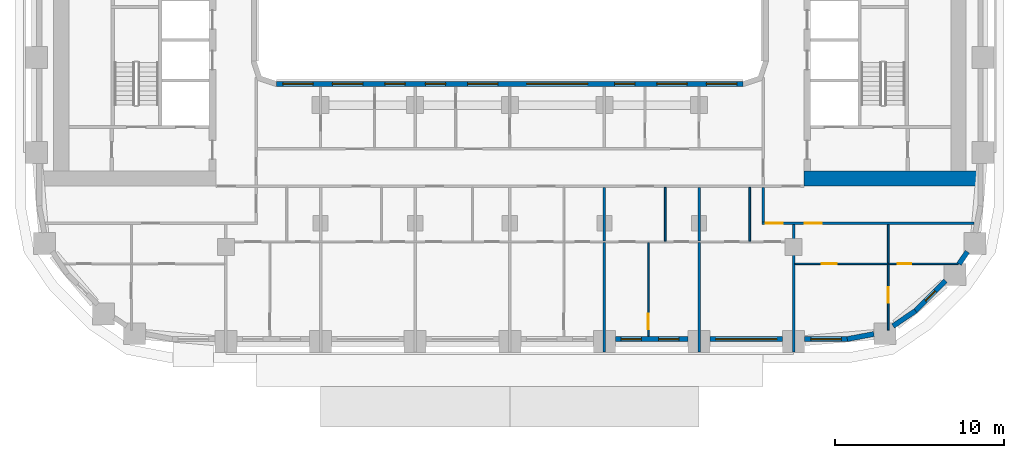
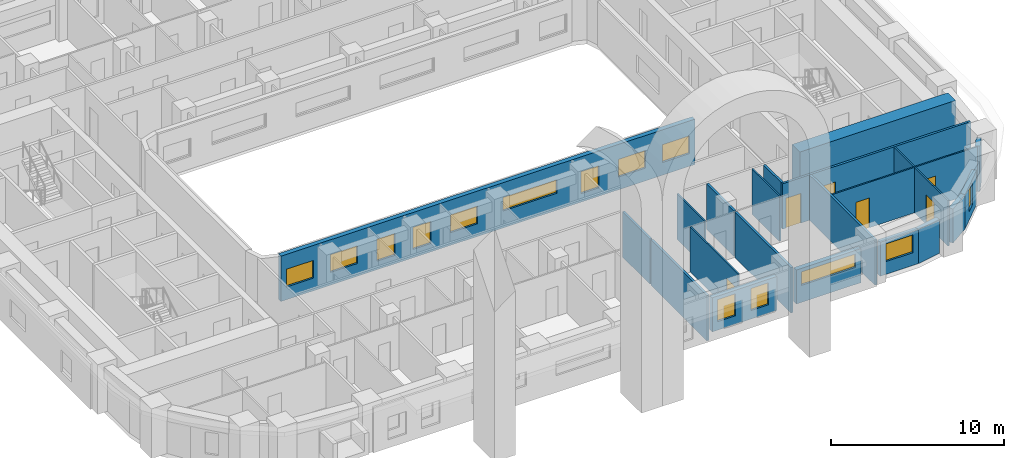
# One storey, part 5 of 19: 22 walls, 14 windows, 6 doors, 20 openings.
"""IFC4 building model written with IfcOpenShell, lengths in metres."""

from ifc_helpers import new_model, si_unit, direction, frame, frame_2d, origin, place, context, subcontext, project, spatial, rectangle, extrude, material, layer, layer_set, type_object, element, fill, save


model = new_model("IFC4")

# Units and contexts
model_context = context("Model", 3, precision=1e-05, world=origin(), true_north=direction((0.0, 1.0)))
body_context = subcontext(model_context, "Body", "Model", "MODEL_VIEW")
ifc_project = project(units=[si_unit("LENGTHUNIT", "METRE"), si_unit("AREAUNIT", "SQUARE_METRE"), si_unit("VOLUMEUNIT", "CUBIC_METRE"), si_unit("PLANEANGLEUNIT", "RADIAN"), si_unit("MASSUNIT", "GRAM", prefix="KILO")], contexts=[model_context])

# Site, building, storey
site_placement = place(None, origin())
site = spatial("IfcSite", under=ifc_project, at=site_placement, CompositionType="ELEMENT")
building_placement = place(site_placement, origin())
building = spatial("IfcBuilding", under=site, at=building_placement, Name="Kiln Ring Residences", CompositionType="ELEMENT")
storey_placement = place(building_placement, frame((0.0, 0.0, 104.300048828125)))
storey = spatial("IfcBuildingStorey", under=building, at=storey_placement, Name="L26", CompositionType="ELEMENT", Elevation=104.300048828125)

# Wall
ifc_material_1 = material(Name="Concrete C60/75", Category="concrete")
ifc_layer_1 = layer(ifc_material_1, 0.89990234375)
ifc_layer_set_1 = layer_set([ifc_layer_1], Name="CORE-WALL-RC900")
wall_type_1 = type_object("IfcWallType", Name="CORE-WALL-RC900", PredefinedType="SHEAR", material=ifc_layer_set_1)
wall_1_placement = place(storey_placement, frame((17.39990234375, -12.75, 0.0), z_axis=(0.0, 0.0, 1.0), x_axis=(1.0, 0.0, 0.0)))
element("IfcWall", 1, at=wall_1_placement, inside=storey, type_object=wall_type_1, Name="Core wall east L26 5", PredefinedType="SHEAR", context=body_context, shape_type="SweptSolid", body=[
    extrude(rectangle(XDim=10.400146484375, YDim=0.89990234375, at=frame_2d((5.2001953125, 0.0))), origin(), (0.0, 0.0, 1.0), 3.199951171875),
])

# Wall, openings, windows
ifc_material_2 = material(Name="Brick masonry, dark clay brick", Category="masonry")
ifc_layer_2 = layer(ifc_material_2, 0.300048828125)
ifc_layer_set_2 = layer_set([ifc_layer_2], Name="EW-300 BRICK WALL")
wall_type_2 = type_object("IfcWallType", Name="EW-300 BRICK WALL", PredefinedType="SOLIDWALL", material=ifc_layer_set_2)
wall_2_placement = place(storey_placement, frame((6.25, -22.25, 0.0), z_axis=(0.0, 0.0, 1.0), x_axis=(1.0, 0.0, 0.0)))
wall_2 = element("IfcWall", 2, at=wall_2_placement, inside=storey, type_object=wall_type_2, Name="Facade wall L26 9", PredefinedType="SOLIDWALL", context=body_context, shape_type="SweptSolid", body=[
    extrude(rectangle(XDim=4.300048828125, YDim=0.300048828125, at=frame_2d((2.14990234375, 0.0))), origin(), (0.0, 0.0, 1.0), 2.39990234375),
])
opening_1_placement = place(wall_2_placement, frame((0.33740234375, 0.0, 0.60009765625)))
opening_1 = element("IfcOpeningElement", 3, at=opening_1_placement, cuts=wall_2, Name="Opening W1", PredefinedType="OPENING", context=body_context, shape_type="SweptSolid", body=[
    extrude(rectangle(XDim=1.199951171875, YDim=1.550048828125, at=frame_2d((0.60009765625, 0.77490234375))), frame((0.0, 0.159912109375, 0.0), z_axis=(0.0, -1.0, 0.0), x_axis=(1.0, 0.0, 0.0)), (0.0, 0.0, 1.0), 0.320068359375),
])
opening_2_placement = place(wall_2_placement, frame((2.5625, 0.0, 0.60009765625)))
opening_2 = element("IfcOpeningElement", 4, at=opening_2_placement, cuts=wall_2, Name="Opening W1", PredefinedType="OPENING", context=body_context, shape_type="SweptSolid", body=[
    extrude(rectangle(XDim=1.199951171875, YDim=1.550048828125, at=frame_2d((0.60009765625, 0.77490234375))), frame((0.0, 0.159912109375, 0.0), z_axis=(0.0, -1.0, 0.0), x_axis=(1.0, 0.0, 0.0)), (0.0, 0.0, 1.0), 0.320068359375),
])
ifc_material_3 = material(Name="Aluminium frame with double glazing", Category="aluminium")
window_type_1 = type_object("IfcWindowType", Name="WINDOW 1200 x 1550", PartitioningType="SINGLE_PANEL", PredefinedType="WINDOW", material=ifc_material_3)
window_1_placement = place(opening_1_placement, origin())
window_1 = element("IfcWindow", 5, at=window_1_placement, inside=storey, type_object=window_type_1, Name="Window L26 9", OverallHeight=1.550048828125, OverallWidth=1.199951171875, PartitioningType="SINGLE_PANEL", PredefinedType="WINDOW", context=body_context, shape_type="SweptSolid", body=[
    extrude(rectangle(XDim=1.199951171875, YDim=1.550048828125, at=frame_2d((0.60009765625, 0.77490234375))), frame((0.0, 0.030029296875, 0.0), z_axis=(0.0, -1.0, 0.0), x_axis=(1.0, 0.0, 0.0)), (0.0, 0.0, 1.0), 0.06005859375),
])
fill(opening_1, window_1)
window_2_placement = place(opening_2_placement, origin())
window_2 = element("IfcWindow", 6, at=window_2_placement, inside=storey, type_object=window_type_1, Name="Window L26 10", OverallHeight=1.550048828125, OverallWidth=1.199951171875, PartitioningType="SINGLE_PANEL", PredefinedType="WINDOW", context=body_context, shape_type="SweptSolid", body=[
    extrude(rectangle(XDim=1.199951171875, YDim=1.550048828125, at=frame_2d((0.60009765625, 0.77490234375))), frame((0.0, 0.030029296875, 0.0), z_axis=(0.0, -1.0, 0.0), x_axis=(1.0, 0.0, 0.0)), (0.0, 0.0, 1.0), 0.06005859375),
])
fill(opening_2, window_2)

# Wall, opening, window
wall_3_placement = place(storey_placement, frame((11.85009765625, -22.25, 0.0), z_axis=(0.0, 0.0, 1.0), x_axis=(1.0, 0.0, 0.0)))
wall_3 = element("IfcWall", 7, at=wall_3_placement, inside=storey, type_object=wall_type_2, Name="Facade wall L26 10", PredefinedType="SOLIDWALL", context=body_context, shape_type="SweptSolid", body=[
    extrude(rectangle(XDim=4.2998046875, YDim=0.300048828125, at=frame_2d((2.14990234375, 0.0))), origin(), (0.0, 0.0, 1.0), 2.39990234375),
])
opening_3_placement = place(wall_3_placement, frame((0.35009765625, 0.0, 1.199951171875)))
opening_3 = element("IfcOpeningElement", 8, at=opening_3_placement, cuts=wall_3, Name="Opening W4", PredefinedType="OPENING", context=body_context, shape_type="SweptSolid", body=[
    extrude(rectangle(XDim=3.60009765625, YDim=0.949951171875, at=frame_2d((1.800048828125, 0.47509765625))), frame((0.0, 0.159912109375, 0.0), z_axis=(0.0, -1.0, 0.0), x_axis=(1.0, 0.0, 0.0)), (0.0, 0.0, 1.0), 0.320068359375),
])
ifc_material_4 = material(Name="Aluminium frame with double glazing", Category="aluminium")
window_type_2 = type_object("IfcWindowType", Name="WINDOW 3600 x 950", PartitioningType="SINGLE_PANEL", PredefinedType="WINDOW", material=ifc_material_4)
window_3_placement = place(opening_3_placement, origin())
window_3 = element("IfcWindow", 9, at=window_3_placement, inside=storey, type_object=window_type_2, Name="Window L26 11", OverallHeight=0.949951171875, OverallWidth=3.60009765625, PartitioningType="SINGLE_PANEL", PredefinedType="WINDOW", context=body_context, shape_type="SweptSolid", body=[
    extrude(rectangle(XDim=3.60009765625, YDim=0.949951171875, at=frame_2d((1.800048828125, 0.47509765625))), frame((0.0, 0.030029296875, 0.0), z_axis=(0.0, -1.0, 0.0), x_axis=(1.0, 0.0, 0.0)), (0.0, 0.0, 1.0), 0.06005859375),
])
fill(opening_3, window_3)

wall_4_placement = place(storey_placement, frame((17.449951171875, -22.25, 0.0), z_axis=(0.0, 0.0, 1.0), x_axis=(1.0, 0.0, 0.0)))
wall_4 = element("IfcWall", 10, at=wall_4_placement, inside=storey, type_object=wall_type_2, Name="Facade wall L26 11", PredefinedType="SOLIDWALL", context=body_context, shape_type="SweptSolid", body=[
    extrude(rectangle(XDim=2.550048828125, YDim=0.300048828125, at=frame_2d((1.27490234375, 0.0))), origin(), (0.0, 0.0, 1.0), 2.39990234375),
])
opening_4_placement = place(wall_4_placement, frame((0.375, 0.0, 0.89990234375)))
opening_4 = element("IfcOpeningElement", 11, at=opening_4_placement, cuts=wall_4, Name="Opening W2", PredefinedType="OPENING", context=body_context, shape_type="SweptSolid", body=[
    extrude(rectangle(XDim=1.800048828125, YDim=1.25, at=frame_2d((0.89990234375, 0.625))), frame((0.0, 0.159912109375, 0.0), z_axis=(0.0, -1.0, 0.0), x_axis=(1.0, 0.0, 0.0)), (0.0, 0.0, 1.0), 0.320068359375),
])
ifc_material_5 = material(Name="Aluminium frame with double glazing", Category="aluminium")
window_type_3 = type_object("IfcWindowType", Name="WINDOW 1800 x 1250", PartitioningType="SINGLE_PANEL", PredefinedType="WINDOW", material=ifc_material_5)
window_4_placement = place(opening_4_placement, origin())
window_4 = element("IfcWindow", 12, at=window_4_placement, inside=storey, type_object=window_type_3, Name="Window L26 12", OverallHeight=1.25, OverallWidth=1.800048828125, PartitioningType="SINGLE_PANEL", PredefinedType="WINDOW", context=body_context, shape_type="SweptSolid", body=[
    extrude(rectangle(XDim=1.800048828125, YDim=1.25, at=frame_2d((0.89990234375, 0.625))), frame((0.0, 0.030029296875, 0.0), z_axis=(0.0, -1.0, 0.0), x_axis=(1.0, 0.0, 0.0)), (0.0, 0.0, 1.0), 0.06005859375),
])
fill(opening_4, window_4)

# Walls
for number, where, z_axis, x_axis, name in (
    (13, (19.971923828125, -22.252685546875, 0.0), (0.0, 0.0, 1.0), (0.982278644094, 0.187426426519, 0.0), "Facade wall L26 12"),
    (14, (22.684326171875, -21.481689453125, 0.0), (0.0, 0.0, 1.0), (0.82705935865, 0.562114594429, 0.0), "Facade wall L26 13"),
):
    element("IfcWall", number, at=place(storey_placement, frame(where, z_axis=z_axis, x_axis=x_axis)), inside=storey, type_object=wall_type_2, Name=name, PredefinedType="SOLIDWALL", context=body_context, shape_type="SweptSolid", body=[
        extrude(rectangle(XDim=1.606201171875, YDim=0.300048828125, at=frame_2d((0.80322265625, 0.0))), origin(), (0.0, 0.0, 1.0), 2.39990234375),
    ])

# Wall, opening, window
wall_5_placement = place(storey_placement, frame((23.990966796875, -20.596923828125, 0.0), z_axis=(0.0, 0.0, 1.0), x_axis=(0.707106781187, 0.707106781187, 0.0)))
wall_5 = element("IfcWall", 15, at=wall_5_placement, inside=storey, type_object=wall_type_2, Name="Facade wall L26 14", PredefinedType="SOLIDWALL", context=body_context, shape_type="SweptSolid", body=[
    extrude(rectangle(XDim=2.550048828125, YDim=0.300048828125, at=frame_2d((1.27490234375, 0.0))), origin(), (0.0, 0.0, 1.0), 2.39990234375),
])
opening_5_placement = place(wall_5_placement, frame((0.875, 0.0, 0.60009765625)))
opening_5 = element("IfcOpeningElement", 16, at=opening_5_placement, cuts=wall_5, Name="Opening W5", PredefinedType="OPENING", context=body_context, shape_type="SweptSolid", body=[
    extrude(rectangle(XDim=0.800048828125, YDim=1.550048828125, at=frame_2d((0.39990234375, 0.77490234375))), frame((0.0, 0.159912109375, 0.0), z_axis=(0.0, -1.0, 0.0), x_axis=(1.0, 0.0, 0.0)), (0.0, 0.0, 1.0), 0.320068359375),
])
ifc_material_6 = material(Name="Aluminium frame with double glazing", Category="aluminium")
window_type_4 = type_object("IfcWindowType", Name="WINDOW 800 x 1550", PartitioningType="SINGLE_PANEL", PredefinedType="WINDOW", material=ifc_material_6)
window_5_placement = place(opening_5_placement, origin())
window_5 = element("IfcWindow", 17, at=window_5_placement, inside=storey, type_object=window_type_4, Name="Window L26 13", OverallHeight=1.550048828125, OverallWidth=0.800048828125, PartitioningType="SINGLE_PANEL", PredefinedType="WINDOW", context=body_context, shape_type="SweptSolid", body=[
    extrude(rectangle(XDim=0.800048828125, YDim=1.550048828125, at=frame_2d((0.39990234375, 0.77490234375))), frame((0.0, 0.030029296875, 0.0), z_axis=(0.0, -1.0, 0.0), x_axis=(1.0, 0.0, 0.0)), (0.0, 0.0, 1.0), 0.06005859375),
])
fill(opening_5, window_5)

# Wall
wall_6_placement = place(storey_placement, frame((26.588623046875, -17.809814453125, 0.0), z_axis=(0.0, 0.0, 1.0), x_axis=(0.562066330934, 0.827092159091, 0.0)))
element("IfcWall", 18, at=wall_6_placement, inside=storey, type_object=wall_type_2, Name="Facade wall L26 15", PredefinedType="SOLIDWALL", context=body_context, shape_type="SweptSolid", body=[
    extrude(rectangle(XDim=0.876953125, YDim=0.300048828125, at=frame_2d((0.4384765625, 0.0))), origin(), (0.0, 0.0, 1.0), 3.199951171875),
])

# Wall, openings, windows
wall_7_placement = place(storey_placement, frame((13.800048828125, -7.14990234375, 0.0), z_axis=(0.0, 0.0, 1.0), x_axis=(-1.0, 0.0, 0.0)))
wall_7 = element("IfcWall", 19, at=wall_7_placement, inside=storey, type_object=wall_type_2, Name="Facade wall L26 52", PredefinedType="SOLIDWALL", context=body_context, shape_type="SweptSolid", body=[
    extrude(rectangle(XDim=27.60009765625, YDim=0.300048828125, at=frame_2d((13.800048828125, 0.0))), origin(), (0.0, 0.0, 1.0), 3.199951171875),
])
opening_6_placement = place(wall_7_placement, frame((0.362548828125, 0.0, 0.89990234375)))
opening_6 = element("IfcOpeningElement", 20, at=opening_6_placement, cuts=wall_7, Name="Opening W2", PredefinedType="OPENING", context=body_context, shape_type="SweptSolid", body=[
    extrude(rectangle(XDim=1.800048828125, YDim=1.25, at=frame_2d((0.89990234375, 0.625))), frame((0.0, 0.159912109375, 0.0), z_axis=(0.0, -1.0, 0.0), x_axis=(1.0, 0.0, 0.0)), (0.0, 0.0, 1.0), 0.320068359375),
])
opening_7_placement = place(wall_7_placement, frame((3.300048828125, 0.0, 0.89990234375)))
opening_7 = element("IfcOpeningElement", 21, at=opening_7_placement, cuts=wall_7, Name="Opening W2", PredefinedType="OPENING", context=body_context, shape_type="SweptSolid", body=[
    extrude(rectangle(XDim=1.800048828125, YDim=1.25, at=frame_2d((0.89990234375, 0.625))), frame((0.0, 0.159912109375, 0.0), z_axis=(0.0, -1.0, 0.0), x_axis=(1.0, 0.0, 0.0)), (0.0, 0.0, 1.0), 0.320068359375),
])
opening_8_placement = place(wall_7_placement, frame((6.39990234375, 0.0, 0.60009765625)))
opening_8 = element("IfcOpeningElement", 22, at=opening_8_placement, cuts=wall_7, Name="Opening W1", PredefinedType="OPENING", context=body_context, shape_type="SweptSolid", body=[
    extrude(rectangle(XDim=1.199951171875, YDim=1.550048828125, at=frame_2d((0.60009765625, 0.77490234375))), frame((0.0, 0.159912109375, 0.0), z_axis=(0.0, -1.0, 0.0), x_axis=(1.0, 0.0, 0.0)), (0.0, 0.0, 1.0), 0.320068359375),
])
opening_9_placement = place(wall_7_placement, frame((9.199951171875, 0.0, 1.199951171875)))
opening_9 = element("IfcOpeningElement", 23, at=opening_9_placement, cuts=wall_7, Name="Opening W4", PredefinedType="OPENING", context=body_context, shape_type="SweptSolid", body=[
    extrude(rectangle(XDim=3.60009765625, YDim=0.949951171875, at=frame_2d((1.800048828125, 0.47509765625))), frame((0.0, 0.159912109375, 0.0), z_axis=(0.0, -1.0, 0.0), x_axis=(1.0, 0.0, 0.0)), (0.0, 0.0, 1.0), 0.320068359375),
])
opening_10_placement = place(wall_7_placement, frame((14.5, 0.0, 0.89990234375)))
opening_10 = element("IfcOpeningElement", 24, at=opening_10_placement, cuts=wall_7, Name="Opening W2", PredefinedType="OPENING", context=body_context, shape_type="SweptSolid", body=[
    extrude(rectangle(XDim=1.800048828125, YDim=1.25, at=frame_2d((0.89990234375, 0.625))), frame((0.0, 0.159912109375, 0.0), z_axis=(0.0, -1.0, 0.0), x_axis=(1.0, 0.0, 0.0)), (0.0, 0.0, 1.0), 0.320068359375),
])
opening_11_placement = place(wall_7_placement, frame((17.60009765625, 0.0, 0.60009765625)))
opening_11 = element("IfcOpeningElement", 25, at=opening_11_placement, cuts=wall_7, Name="Opening W1", PredefinedType="OPENING", context=body_context, shape_type="SweptSolid", body=[
    extrude(rectangle(XDim=1.199951171875, YDim=1.550048828125, at=frame_2d((0.60009765625, 0.77490234375))), frame((0.0, 0.159912109375, 0.0), z_axis=(0.0, -1.0, 0.0), x_axis=(1.0, 0.0, 0.0)), (0.0, 0.0, 1.0), 0.320068359375),
])
opening_12_placement = place(wall_7_placement, frame((20.0, 0.0, 0.60009765625)))
opening_12 = element("IfcOpeningElement", 26, at=opening_12_placement, cuts=wall_7, Name="Opening W1", PredefinedType="OPENING", context=body_context, shape_type="SweptSolid", body=[
    extrude(rectangle(XDim=1.199951171875, YDim=1.550048828125, at=frame_2d((0.60009765625, 0.77490234375))), frame((0.0, 0.159912109375, 0.0), z_axis=(0.0, -1.0, 0.0), x_axis=(1.0, 0.0, 0.0)), (0.0, 0.0, 1.0), 0.320068359375),
])
opening_13_placement = place(wall_7_placement, frame((22.5, 0.0, 0.89990234375)))
opening_13 = element("IfcOpeningElement", 27, at=opening_13_placement, cuts=wall_7, Name="Opening W2", PredefinedType="OPENING", context=body_context, shape_type="SweptSolid", body=[
    extrude(rectangle(XDim=1.800048828125, YDim=1.25, at=frame_2d((0.89990234375, 0.625))), frame((0.0, 0.159912109375, 0.0), z_axis=(0.0, -1.0, 0.0), x_axis=(1.0, 0.0, 0.0)), (0.0, 0.0, 1.0), 0.320068359375),
])
opening_14_placement = place(wall_7_placement, frame((25.4375, 0.0, 0.89990234375)))
opening_14 = element("IfcOpeningElement", 28, at=opening_14_placement, cuts=wall_7, Name="Opening W2", PredefinedType="OPENING", context=body_context, shape_type="SweptSolid", body=[
    extrude(rectangle(XDim=1.800048828125, YDim=1.25, at=frame_2d((0.89990234375, 0.625))), frame((0.0, 0.159912109375, 0.0), z_axis=(0.0, -1.0, 0.0), x_axis=(1.0, 0.0, 0.0)), (0.0, 0.0, 1.0), 0.320068359375),
])
window_6_placement = place(opening_8_placement, origin())
window_6 = element("IfcWindow", 29, at=window_6_placement, inside=storey, type_object=window_type_1, Name="Window L26 35", OverallHeight=1.550048828125, OverallWidth=1.199951171875, PartitioningType="SINGLE_PANEL", PredefinedType="WINDOW", context=body_context, shape_type="SweptSolid", body=[
    extrude(rectangle(XDim=1.199951171875, YDim=1.550048828125, at=frame_2d((0.60009765625, 0.77490234375))), frame((0.0, 0.030029296875, 0.0), z_axis=(0.0, -1.0, 0.0), x_axis=(1.0, 0.0, 0.0)), (0.0, 0.0, 1.0), 0.06005859375),
])
fill(opening_8, window_6)
window_7_placement = place(opening_11_placement, origin())
window_7 = element("IfcWindow", 30, at=window_7_placement, inside=storey, type_object=window_type_1, Name="Window L26 38", OverallHeight=1.550048828125, OverallWidth=1.199951171875, PartitioningType="SINGLE_PANEL", PredefinedType="WINDOW", context=body_context, shape_type="SweptSolid", body=[
    extrude(rectangle(XDim=1.199951171875, YDim=1.550048828125, at=frame_2d((0.60009765625, 0.77490234375))), frame((0.0, 0.030029296875, 0.0), z_axis=(0.0, -1.0, 0.0), x_axis=(1.0, 0.0, 0.0)), (0.0, 0.0, 1.0), 0.06005859375),
])
fill(opening_11, window_7)
window_8_placement = place(opening_12_placement, origin())
window_8 = element("IfcWindow", 31, at=window_8_placement, inside=storey, type_object=window_type_1, Name="Window L26 39", OverallHeight=1.550048828125, OverallWidth=1.199951171875, PartitioningType="SINGLE_PANEL", PredefinedType="WINDOW", context=body_context, shape_type="SweptSolid", body=[
    extrude(rectangle(XDim=1.199951171875, YDim=1.550048828125, at=frame_2d((0.60009765625, 0.77490234375))), frame((0.0, 0.030029296875, 0.0), z_axis=(0.0, -1.0, 0.0), x_axis=(1.0, 0.0, 0.0)), (0.0, 0.0, 1.0), 0.06005859375),
])
fill(opening_12, window_8)
window_9_placement = place(opening_6_placement, origin())
window_9 = element("IfcWindow", 32, at=window_9_placement, inside=storey, type_object=window_type_3, Name="Window L26 33", OverallHeight=1.25, OverallWidth=1.800048828125, PartitioningType="SINGLE_PANEL", PredefinedType="WINDOW", context=body_context, shape_type="SweptSolid", body=[
    extrude(rectangle(XDim=1.800048828125, YDim=1.25, at=frame_2d((0.89990234375, 0.625))), frame((0.0, 0.030029296875, 0.0), z_axis=(0.0, -1.0, 0.0), x_axis=(1.0, 0.0, 0.0)), (0.0, 0.0, 1.0), 0.06005859375),
])
fill(opening_6, window_9)
window_10_placement = place(opening_7_placement, origin())
window_10 = element("IfcWindow", 33, at=window_10_placement, inside=storey, type_object=window_type_3, Name="Window L26 34", OverallHeight=1.25, OverallWidth=1.800048828125, PartitioningType="SINGLE_PANEL", PredefinedType="WINDOW", context=body_context, shape_type="SweptSolid", body=[
    extrude(rectangle(XDim=1.800048828125, YDim=1.25, at=frame_2d((0.89990234375, 0.625))), frame((0.0, 0.030029296875, 0.0), z_axis=(0.0, -1.0, 0.0), x_axis=(1.0, 0.0, 0.0)), (0.0, 0.0, 1.0), 0.06005859375),
])
fill(opening_7, window_10)
window_11_placement = place(opening_10_placement, origin())
window_11 = element("IfcWindow", 34, at=window_11_placement, inside=storey, type_object=window_type_3, Name="Window L26 37", OverallHeight=1.25, OverallWidth=1.800048828125, PartitioningType="SINGLE_PANEL", PredefinedType="WINDOW", context=body_context, shape_type="SweptSolid", body=[
    extrude(rectangle(XDim=1.800048828125, YDim=1.25, at=frame_2d((0.89990234375, 0.625))), frame((0.0, 0.030029296875, 0.0), z_axis=(0.0, -1.0, 0.0), x_axis=(1.0, 0.0, 0.0)), (0.0, 0.0, 1.0), 0.06005859375),
])
fill(opening_10, window_11)
window_12_placement = place(opening_13_placement, origin())
window_12 = element("IfcWindow", 35, at=window_12_placement, inside=storey, type_object=window_type_3, Name="Window L26 40", OverallHeight=1.25, OverallWidth=1.800048828125, PartitioningType="SINGLE_PANEL", PredefinedType="WINDOW", context=body_context, shape_type="SweptSolid", body=[
    extrude(rectangle(XDim=1.800048828125, YDim=1.25, at=frame_2d((0.89990234375, 0.625))), frame((0.0, 0.030029296875, 0.0), z_axis=(0.0, -1.0, 0.0), x_axis=(1.0, 0.0, 0.0)), (0.0, 0.0, 1.0), 0.06005859375),
])
fill(opening_13, window_12)
window_13_placement = place(opening_14_placement, origin())
window_13 = element("IfcWindow", 36, at=window_13_placement, inside=storey, type_object=window_type_3, Name="Window L26 41", OverallHeight=1.25, OverallWidth=1.800048828125, PartitioningType="SINGLE_PANEL", PredefinedType="WINDOW", context=body_context, shape_type="SweptSolid", body=[
    extrude(rectangle(XDim=1.800048828125, YDim=1.25, at=frame_2d((0.89990234375, 0.625))), frame((0.0, 0.030029296875, 0.0), z_axis=(0.0, -1.0, 0.0), x_axis=(1.0, 0.0, 0.0)), (0.0, 0.0, 1.0), 0.06005859375),
])
fill(opening_14, window_13)
window_14_placement = place(opening_9_placement, origin())
window_14 = element("IfcWindow", 37, at=window_14_placement, inside=storey, type_object=window_type_2, Name="Window L26 36", OverallHeight=0.949951171875, OverallWidth=3.60009765625, PartitioningType="SINGLE_PANEL", PredefinedType="WINDOW", context=body_context, shape_type="SweptSolid", body=[
    extrude(rectangle(XDim=3.60009765625, YDim=0.949951171875, at=frame_2d((1.800048828125, 0.47509765625))), frame((0.0, 0.030029296875, 0.0), z_axis=(0.0, -1.0, 0.0), x_axis=(1.0, 0.0, 0.0)), (0.0, 0.0, 1.0), 0.06005859375),
])
fill(opening_9, window_14)

# Wall, openings, doors
ifc_material_7 = material(Name="Gypsum board on steel studs", Category="steel")
ifc_layer_3 = layer(ifc_material_7, 0.10009765625)
ifc_layer_set_3 = layer_set([ifc_layer_3], Name="PARTITION-100")
wall_type_3 = type_object("IfcWallType", Name="PARTITION-100", PredefinedType="PARTITIONING", material=ifc_layer_set_3)
wall_8_placement = place(storey_placement, frame((16.875, -17.800048828125, 0.0), z_axis=(0.0, 0.0, 1.0), x_axis=(1.0, 0.0, 0.0)))
wall_8 = element("IfcWall", 38, at=wall_8_placement, inside=storey, type_object=wall_type_3, Name="Partition 001", PredefinedType="PARTITIONING", context=body_context, shape_type="SweptSolid", body=[
    extrude(rectangle(XDim=9.67919921875, YDim=0.10009765625, at=frame_2d((4.839599609375, 0.0))), origin(), (0.0, 0.0, 1.0), 3.199951171875),
])
opening_15_placement = place(wall_8_placement, frame((6.093017578125, 0.0, 0.0)))
opening_15 = element("IfcOpeningElement", 39, at=opening_15_placement, cuts=wall_8, Name="Opening L26-D074", PredefinedType="OPENING", context=body_context, shape_type="SweptSolid", body=[
    extrude(rectangle(XDim=0.800048828125, YDim=2.10009765625, at=frame_2d((0.39990234375, 1.050048828125))), frame((0.0, 0.06005859375, 0.0), z_axis=(0.0, -1.0, 0.0), x_axis=(1.0, 0.0, 0.0)), (0.0, 0.0, 1.0), 0.1201171875),
])
opening_16_placement = place(wall_8_placement, frame((1.574951171875, 0.0, 0.0)))
opening_16 = element("IfcOpeningElement", 40, at=opening_16_placement, cuts=wall_8, Name="Opening L26-D075", PredefinedType="OPENING", context=body_context, shape_type="SweptSolid", body=[
    extrude(rectangle(XDim=0.89990234375, YDim=2.10009765625, at=frame_2d((0.449951171875, 1.050048828125))), frame((0.0, 0.06005859375, 0.0), z_axis=(0.0, -1.0, 0.0), x_axis=(1.0, 0.0, 0.0)), (0.0, 0.0, 1.0), 0.1201171875),
])
ifc_material_8 = material(Name="Timber door leaf", Category="wood")
door_type_1 = type_object("IfcDoorType", Name="FLAT-DOOR-800-PL", OperationType="SINGLE_SWING_LEFT", PredefinedType="DOOR", material=ifc_material_8)
door_1_placement = place(opening_15_placement, origin())
door_1 = element("IfcDoor", 41, at=door_1_placement, inside=storey, type_object=door_type_1, Name="Door L26-D074", OperationType="SINGLE_SWING_RIGHT", OverallHeight=2.10009765625, OverallWidth=0.800048828125, PredefinedType="DOOR", context=body_context, shape_type="SweptSolid", body=[
    extrude(rectangle(XDim=0.800048828125, YDim=2.10009765625, at=frame_2d((0.39990234375, 1.050048828125))), frame((0.0, 0.02490234375, 0.0), z_axis=(0.0, -1.0, 0.0), x_axis=(1.0, 0.0, 0.0)), (0.0, 0.0, 1.0), 0.050048828125),
])
fill(opening_15, door_1)
ifc_material_9 = material(Name="Timber door leaf", Category="wood")
door_type_2 = type_object("IfcDoorType", Name="FLAT-DOOR-900-PL", OperationType="SINGLE_SWING_LEFT", PredefinedType="DOOR", material=ifc_material_9)
door_2_placement = place(opening_16_placement, origin())
door_2 = element("IfcDoor", 42, at=door_2_placement, inside=storey, type_object=door_type_2, Name="Door L26-D075", OperationType="SINGLE_SWING_LEFT", OverallHeight=2.10009765625, OverallWidth=0.89990234375, PredefinedType="DOOR", context=body_context, shape_type="SweptSolid", body=[
    extrude(rectangle(XDim=0.89990234375, YDim=2.10009765625, at=frame_2d((0.449951171875, 1.050048828125))), frame((0.0, 0.02490234375, 0.0), z_axis=(0.0, -1.0, 0.0), x_axis=(1.0, 0.0, 0.0)), (0.0, 0.0, 1.0), 0.050048828125),
])
fill(opening_16, door_2)

# Wall, opening, door
wall_9_placement = place(storey_placement, frame((8.199951171875, -22.080078125, 0.0), z_axis=(0.0, 0.0, 1.0), x_axis=(0.0, 1.0, 0.0)))
wall_9 = element("IfcWall", 43, at=wall_9_placement, inside=storey, type_object=wall_type_3, Name="Partition 063", PredefinedType="PARTITIONING", context=body_context, shape_type="SweptSolid", body=[
    extrude(rectangle(XDim=5.530029296875, YDim=0.10009765625, at=frame_2d((2.76513671875, 0.0))), origin(), (0.0, 0.0, 1.0), 3.199951171875),
])
opening_17_placement = place(wall_9_placement, frame((0.419921875, 0.0, 0.0)))
opening_17 = element("IfcOpeningElement", 44, at=opening_17_placement, cuts=wall_9, Name="Opening L26-D069", PredefinedType="OPENING", context=body_context, shape_type="SweptSolid", body=[
    extrude(rectangle(XDim=0.89990234375, YDim=2.10009765625, at=frame_2d((0.449951171875, 1.050048828125))), frame((0.0, 0.06005859375, 0.0), z_axis=(0.0, -1.0, 0.0), x_axis=(1.0, 0.0, 0.0)), (0.0, 0.0, 1.0), 0.1201171875),
])
door_3_placement = place(opening_17_placement, origin())
door_3 = element("IfcDoor", 45, at=door_3_placement, inside=storey, type_object=door_type_2, Name="Door L26-D069", OperationType="SINGLE_SWING_LEFT", OverallHeight=2.10009765625, OverallWidth=0.89990234375, PredefinedType="DOOR", context=body_context, shape_type="SweptSolid", body=[
    extrude(rectangle(XDim=0.89990234375, YDim=2.10009765625, at=frame_2d((0.449951171875, 1.050048828125))), frame((0.0, 0.02490234375, 0.0), z_axis=(0.0, -1.0, 0.0), x_axis=(1.0, 0.0, 0.0)), (0.0, 0.0, 1.0), 0.050048828125),
])
fill(opening_17, door_3)

# Walls
for number, where, z_axis, x_axis, name in (
    (46, (9.199951171875, -16.449951171875, 0.0), (0.0, 0.0, 1.0), (0.0, 1.0, 0.0), "Partition 064"),
    (47, (14.199951171875, -16.449951171875, 0.0), (0.0, 0.0, 1.0), (0.0, 1.0, 0.0), "Partition 072"),
):
    element("IfcWall", number, at=place(storey_placement, frame(where, z_axis=z_axis, x_axis=x_axis)), inside=storey, type_object=wall_type_3, Name=name, PredefinedType="PARTITIONING", context=body_context, shape_type="SweptSolid", body=[
        extrude(rectangle(XDim=3.175048828125, YDim=0.10009765625, at=frame_2d((1.58740234375, 0.0))), origin(), (0.0, 0.0, 1.0), 3.199951171875),
    ])

# Wall, opening, door
wall_10_placement = place(storey_placement, frame((22.39990234375, -21.719970703125, 0.0), z_axis=(0.0, 0.0, 1.0), x_axis=(0.0, 1.0, 0.0)))
wall_10 = element("IfcWall", 48, at=wall_10_placement, inside=storey, type_object=wall_type_3, Name="Partition 080", PredefinedType="PARTITIONING", context=body_context, shape_type="SweptSolid", body=[
    extrude(rectangle(XDim=3.869873046875, YDim=0.10009765625, at=frame_2d((1.93505859375, 0.0))), origin(), (0.0, 0.0, 1.0), 3.199951171875),
])
opening_18_placement = place(wall_10_placement, frame((1.6220703125, 0.0, 0.0)))
opening_18 = element("IfcOpeningElement", 49, at=opening_18_placement, cuts=wall_10, Name="Opening L26-D076", PredefinedType="OPENING", context=body_context, shape_type="SweptSolid", body=[
    extrude(rectangle(XDim=0.89990234375, YDim=2.10009765625, at=frame_2d((0.449951171875, 1.050048828125))), frame((0.0, 0.06005859375, 0.0), z_axis=(0.0, -1.0, 0.0), x_axis=(1.0, 0.0, 0.0)), (0.0, 0.0, 1.0), 0.1201171875),
])
door_4_placement = place(opening_18_placement, origin())
door_4 = element("IfcDoor", 50, at=door_4_placement, inside=storey, type_object=door_type_2, Name="Door L26-D076", OperationType="SINGLE_SWING_RIGHT", OverallHeight=2.10009765625, OverallWidth=0.89990234375, PredefinedType="DOOR", context=body_context, shape_type="SweptSolid", body=[
    extrude(rectangle(XDim=0.89990234375, YDim=2.10009765625, at=frame_2d((0.449951171875, 1.050048828125))), frame((0.0, 0.02490234375, 0.0), z_axis=(0.0, -1.0, 0.0), x_axis=(1.0, 0.0, 0.0)), (0.0, 0.0, 1.0), 0.050048828125),
])
fill(opening_18, door_4)

# Wall
wall_11_placement = place(storey_placement, frame((22.39990234375, -17.75, 0.0), z_axis=(0.0, 0.0, 1.0), x_axis=(0.0, 1.0, 0.0)))
element("IfcWall", 51, at=wall_11_placement, inside=storey, type_object=wall_type_3, Name="Partition 081", PredefinedType="PARTITIONING", context=body_context, shape_type="SweptSolid", body=[
    extrude(rectangle(XDim=2.27490234375, YDim=0.10009765625, at=frame_2d((1.137451171875, 0.0))), origin(), (0.0, 0.0, 1.0), 3.199951171875),
])

# Wall, openings, doors
ifc_material_10 = material(Name="Brick masonry partition", Category="masonry")
ifc_layer_4 = layer(ifc_material_10, 0.14990234375)
ifc_layer_set_4 = layer_set([ifc_layer_4], Name="PARTITION-150-ei60")
wall_type_4 = type_object("IfcWallType", Name="PARTITION-150-ei60", PredefinedType="PARTITIONING", material=ifc_layer_set_4)
wall_12_placement = place(storey_placement, frame((14.925048828125, -15.39990234375, 0.0), z_axis=(0.0, 0.0, 1.0), x_axis=(1.0, 0.0, 0.0)))
wall_12 = element("IfcWall", 52, at=wall_12_placement, inside=storey, type_object=wall_type_4, Name="Partition 004", PredefinedType="PARTITIONING", context=body_context, shape_type="SweptSolid", body=[
    extrude(rectangle(XDim=12.558837890625, YDim=0.14990234375, at=frame_2d((6.279296875, 0.0))), origin(), (0.0, 0.0, 1.0), 3.199951171875),
])
opening_19_placement = place(wall_12_placement, frame((0.22412109375, 0.0, 0.0)))
opening_19 = element("IfcOpeningElement", 53, at=opening_19_placement, cuts=wall_12, Name="Opening L26-D070", PredefinedType="OPENING", context=body_context, shape_type="SweptSolid", body=[
    extrude(rectangle(XDim=1.0, YDim=2.10009765625, at=frame_2d((0.5, 1.050048828125))), frame((0.0, 0.0849609375, 0.0), z_axis=(0.0, -1.0, 0.0), x_axis=(1.0, 0.0, 0.0)), (0.0, 0.0, 1.0), 0.169921875),
])
opening_20_placement = place(wall_12_placement, frame((2.52490234375, 0.0, 0.0)))
opening_20 = element("IfcOpeningElement", 54, at=opening_20_placement, cuts=wall_12, Name="Opening L26-D073", PredefinedType="OPENING", context=body_context, shape_type="SweptSolid", body=[
    extrude(rectangle(XDim=1.0, YDim=2.10009765625, at=frame_2d((0.5, 1.050048828125))), frame((0.0, 0.0849609375, 0.0), z_axis=(0.0, -1.0, 0.0), x_axis=(1.0, 0.0, 0.0)), (0.0, 0.0, 1.0), 0.169921875),
])
ifc_material_11 = material(Name="Steel faced fire door leaf", Category="steel")
door_type_3 = type_object("IfcDoorType", Name="FLAT-DOOR-1000-FR", OperationType="SINGLE_SWING_LEFT", PredefinedType="DOOR", material=ifc_material_11)
door_5_placement = place(opening_19_placement, origin())
door_5 = element("IfcDoor", 55, at=door_5_placement, inside=storey, type_object=door_type_3, Name="Door L26-D070", OperationType="SINGLE_SWING_LEFT", OverallHeight=2.10009765625, OverallWidth=1.0, PredefinedType="DOOR", context=body_context, shape_type="SweptSolid", body=[
    extrude(rectangle(XDim=1.0, YDim=2.10009765625, at=frame_2d((0.5, 1.050048828125))), frame((0.0, 0.02490234375, 0.0), z_axis=(0.0, -1.0, 0.0), x_axis=(1.0, 0.0, 0.0)), (0.0, 0.0, 1.0), 0.050048828125),
])
fill(opening_19, door_5)
door_6_placement = place(opening_20_placement, origin())
door_6 = element("IfcDoor", 56, at=door_6_placement, inside=storey, type_object=door_type_3, Name="Door L26-D073", OperationType="SINGLE_SWING_LEFT", OverallHeight=2.10009765625, OverallWidth=1.0, PredefinedType="DOOR", context=body_context, shape_type="SweptSolid", body=[
    extrude(rectangle(XDim=1.0, YDim=2.10009765625, at=frame_2d((0.5, 1.050048828125))), frame((0.0, 0.02490234375, 0.0), z_axis=(0.0, -1.0, 0.0), x_axis=(1.0, 0.0, 0.0)), (0.0, 0.0, 1.0), 0.050048828125),
])
fill(opening_20, door_6)

# Walls
wall_13_placement = place(storey_placement, frame((5.60009765625, -23.030029296875, 0.0), z_axis=(0.0, 0.0, 1.0), x_axis=(0.0, 1.0, 0.0)))
element("IfcWall", 57, at=wall_13_placement, inside=storey, type_object=wall_type_4, Name="Partition 056", PredefinedType="PARTITIONING", context=body_context, shape_type="SweptSolid", body=[
    extrude(rectangle(XDim=6.47998046875, YDim=0.14990234375, at=frame_2d((3.239990234375, 0.0))), origin(), (0.0, 0.0, 1.0), 3.199951171875),
])
wall_14_placement = place(storey_placement, frame((5.60009765625, -16.449951171875, 0.0), z_axis=(0.0, 0.0, 1.0), x_axis=(0.0, 1.0, 0.0)))
element("IfcWall", 58, at=wall_14_placement, inside=storey, type_object=wall_type_4, Name="Partition 057", PredefinedType="PARTITIONING", context=body_context, shape_type="SweptSolid", body=[
    extrude(rectangle(XDim=3.175048828125, YDim=0.14990234375, at=frame_2d((1.58740234375, 0.0))), origin(), (0.0, 0.0, 1.0), 3.199951171875),
])
wall_15_placement = place(storey_placement, frame((11.199951171875, -23.030029296875, 0.0), z_axis=(0.0, 0.0, 1.0), x_axis=(0.0, 1.0, 0.0)))
element("IfcWall", 59, at=wall_15_placement, inside=storey, type_object=wall_type_4, Name="Partition 067", PredefinedType="PARTITIONING", context=body_context, shape_type="SweptSolid", body=[
    extrude(rectangle(XDim=6.47998046875, YDim=0.14990234375, at=frame_2d((3.239990234375, 0.0))), origin(), (0.0, 0.0, 1.0), 3.199951171875),
])
wall_16_placement = place(storey_placement, frame((11.199951171875, -16.449951171875, 0.0), z_axis=(0.0, 0.0, 1.0), x_axis=(0.0, 1.0, 0.0)))
element("IfcWall", 60, at=wall_16_placement, inside=storey, type_object=wall_type_4, Name="Partition 068", PredefinedType="PARTITIONING", context=body_context, shape_type="SweptSolid", body=[
    extrude(rectangle(XDim=3.175048828125, YDim=0.14990234375, at=frame_2d((1.58740234375, 0.0))), origin(), (0.0, 0.0, 1.0), 3.199951171875),
])
wall_17_placement = place(storey_placement, frame((15.0, -15.324951171875, 0.0), z_axis=(0.0, 0.0, 1.0), x_axis=(0.0, 1.0, 0.0)))
element("IfcWall", 61, at=wall_17_placement, inside=storey, type_object=wall_type_4, Name="Partition 074", PredefinedType="PARTITIONING", context=body_context, shape_type="SweptSolid", body=[
    extrude(rectangle(XDim=2.050048828125, YDim=0.14990234375, at=frame_2d((1.02490234375, 0.0))), origin(), (0.0, 0.0, 1.0), 3.199951171875),
])
wall_18_placement = place(storey_placement, frame((16.800048828125, -23.030029296875, 0.0), z_axis=(0.0, 0.0, 1.0), x_axis=(0.0, 1.0, 0.0)))
element("IfcWall", 62, at=wall_18_placement, inside=storey, type_object=wall_type_4, Name="Partition 078", PredefinedType="PARTITIONING", context=body_context, shape_type="SweptSolid", body=[
    extrude(rectangle(XDim=7.554931640625, YDim=0.14990234375, at=frame_2d((3.77734375, 0.0))), origin(), (0.0, 0.0, 1.0), 3.199951171875),
])

save(model, "model.ifc")
